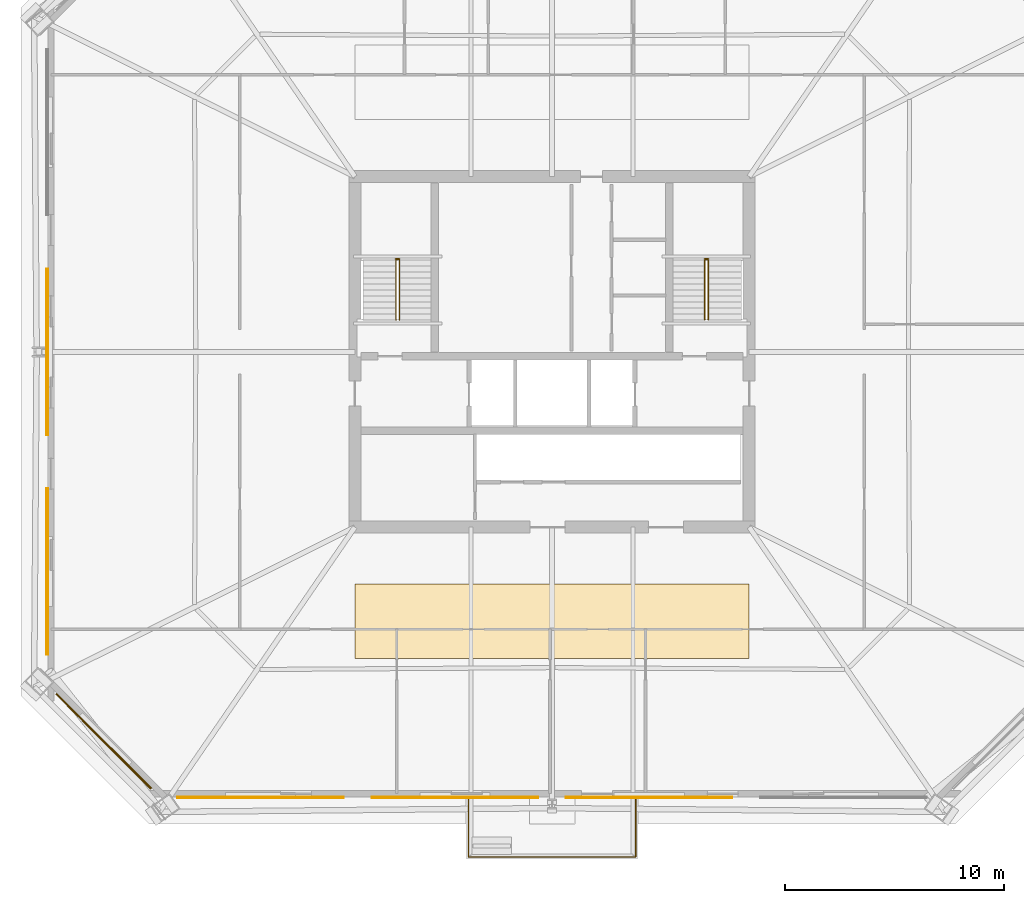
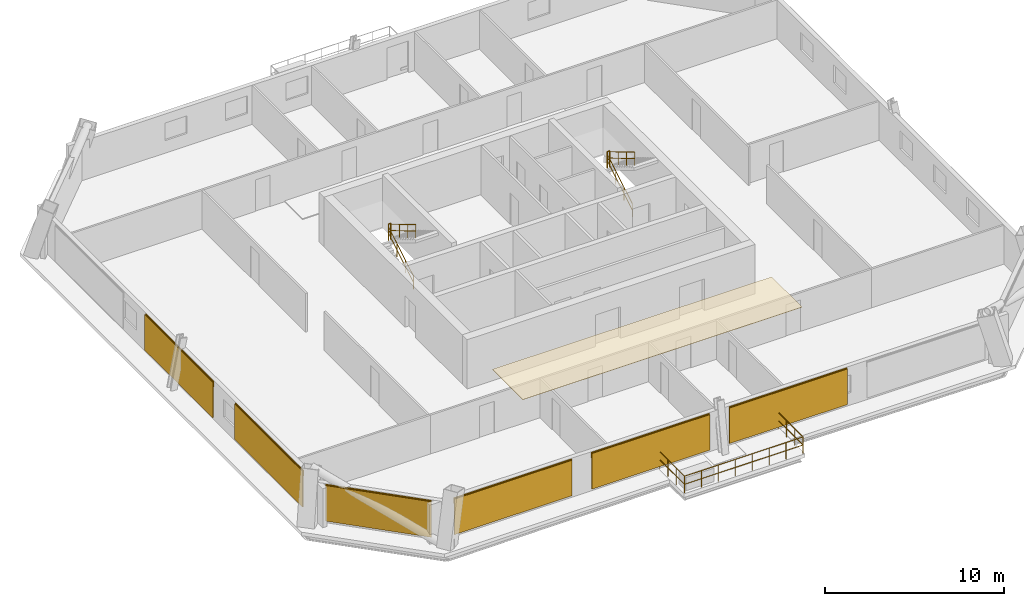
# One storey, part 6 of 7: 7 coverings, 7 railings, 6 shading devices.
"""IFC4 building model written with IfcOpenShell, lengths in metres."""

from ifc_helpers import new_model, si_unit, direction, frame, origin, origin_2d, place, context, subcontext, project, spatial, polyline, rectangle, circle, outline, extrude, material, layer, layer_set, type_object, element, save


model = new_model("IFC4")

# Units and contexts
model_context = context("Model", 3, precision=1e-05, world=origin(), true_north=direction((0.0, 1.0)))
body_context = subcontext(model_context, "Body", "Model", "MODEL_VIEW")
ifc_project = project(units=[si_unit("LENGTHUNIT", "METRE"), si_unit("AREAUNIT", "SQUARE_METRE"), si_unit("VOLUMEUNIT", "CUBIC_METRE"), si_unit("PLANEANGLEUNIT", "RADIAN"), si_unit("MASSUNIT", "GRAM", prefix="KILO")], contexts=[model_context])

# Site, building, storey
site_placement = place(None, origin())
site = spatial("IfcSite", under=ifc_project, at=site_placement, CompositionType="ELEMENT")
building_placement = place(site_placement, origin())
building = spatial("IfcBuilding", under=site, at=building_placement, Name="Caelvoria Tower", CompositionType="ELEMENT")
storey_placement = place(building_placement, frame((0.0, 0.0, 113.199951171875)))
storey = spatial("IfcBuildingStorey", under=building, at=storey_placement, Name="L29", CompositionType="ELEMENT", Elevation=113.199951171875)

# Railing
ifc_material_1 = material(Name="Bronze Anodised Aluminium and Stainless Steel", Category="steel")
railing_type_1 = type_object("IfcRailingType", Name="Exterior Terrace and Balcony Guardrail 1150", PredefinedType="GUARDRAIL", material=ifc_material_1)
railing_1_placement = place(storey_placement, frame((42.179931640625, 11.68994140625, 0.0)))
element("IfcRailing", 1, at=railing_1_placement, inside=storey, type_object=railing_type_1, Name="Tree Balcony Guardrail TB-L29-S", PredefinedType="GUARDRAIL", context=body_context, shape_type="SweptSolid", body=[
    extrude(circle(Radius=0.02392578125, at=origin_2d()), frame((0.0, 0.0, 1.1259765625), z_axis=(0.0, -1.0, 0.0), x_axis=(1.0, 0.0, 0.0)), (0.0, 0.0, 1.0), 2.760009765625),
    extrude(circle(Radius=0.02392578125, at=origin_2d()), frame((0.0, 0.0, 0.574951171875), z_axis=(0.0, -1.0, 0.0), x_axis=(1.0, 0.0, 0.0)), (0.0, 0.0, 1.0), 2.760009765625),
    extrude(circle(Radius=0.02392578125, at=origin_2d()), frame((0.0, -2.760009765625, 1.1259765625), z_axis=(1.0, 0.0, 0.0), x_axis=(0.0, 1.0, 0.0)), (0.0, 0.0, 1.0), 7.64013671875),
    extrude(circle(Radius=0.02392578125, at=origin_2d()), frame((0.0, -2.760009765625, 0.574951171875), z_axis=(1.0, 0.0, 0.0), x_axis=(0.0, 1.0, 0.0)), (0.0, 0.0, 1.0), 7.64013671875),
    extrude(circle(Radius=0.02392578125, at=origin_2d()), frame((7.64013671875, -2.760009765625, 1.1259765625), z_axis=(0.0, 1.0, 0.0), x_axis=(-1.0, 0.0, 0.0)), (0.0, 0.0, 1.0), 2.760009765625),
    extrude(circle(Radius=0.02392578125, at=origin_2d()), frame((7.64013671875, -2.760009765625, 0.574951171875), z_axis=(0.0, 1.0, 0.0), x_axis=(-1.0, 0.0, 0.0)), (0.0, 0.0, 1.0), 2.760009765625),
    extrude(circle(Radius=0.02099609375, at=origin_2d()), origin(), (0.0, 0.0, 1.0), 1.101806640625),
    extrude(circle(Radius=0.02099609375, at=origin_2d()), frame((0.0, -0.919921875, 0.0)), (0.0, 0.0, 1.0), 1.101806640625),
    extrude(circle(Radius=0.02099609375, at=origin_2d()), frame((0.0, -1.840087890625, 0.0)), (0.0, 0.0, 1.0), 1.101806640625),
    extrude(circle(Radius=0.02099609375, at=origin_2d()), frame((0.0, -2.760009765625, 0.0)), (0.0, 0.0, 1.0), 1.101806640625),
    extrude(circle(Radius=0.02099609375, at=origin_2d()), frame((1.091552734375, -2.760009765625, 0.0)), (0.0, 0.0, 1.0), 1.101806640625),
    extrude(circle(Radius=0.02099609375, at=origin_2d()), frame((2.182861328125, -2.760009765625, 0.0)), (0.0, 0.0, 1.0), 1.101806640625),
    extrude(circle(Radius=0.02099609375, at=origin_2d()), frame((3.2744140625, -2.760009765625, 0.0)), (0.0, 0.0, 1.0), 1.101806640625),
    extrude(circle(Radius=0.02099609375, at=origin_2d()), frame((4.36572265625, -2.760009765625, 0.0)), (0.0, 0.0, 1.0), 1.101806640625),
    extrude(circle(Radius=0.02099609375, at=origin_2d()), frame((5.457275390625, -2.760009765625, 0.0)), (0.0, 0.0, 1.0), 1.101806640625),
    extrude(circle(Radius=0.02099609375, at=origin_2d()), frame((6.548583984375, -2.760009765625, 0.0)), (0.0, 0.0, 1.0), 1.101806640625),
    extrude(circle(Radius=0.02099609375, at=origin_2d()), frame((7.64013671875, -2.760009765625, 0.0)), (0.0, 0.0, 1.0), 1.101806640625),
    extrude(circle(Radius=0.02099609375, at=origin_2d()), frame((7.64013671875, -1.840087890625, 0.0)), (0.0, 0.0, 1.0), 1.101806640625),
    extrude(circle(Radius=0.02099609375, at=origin_2d()), frame((7.64013671875, -0.919921875, 0.0)), (0.0, 0.0, 1.0), 1.101806640625),
    extrude(circle(Radius=0.02099609375, at=origin_2d()), frame((7.64013671875, 0.0, 0.0)), (0.0, 0.0, 1.0), 1.101806640625),
])

# Coverings
ifc_material_2 = material(Name="Acoustic Mineral Fibre Tile", Category="gypsum")
ifc_layer_1 = layer(ifc_material_2, 0.02490234375, Name="Acoustic Mineral Fibre Tile")
ifc_layer_set_1 = layer_set([ifc_layer_1], Name="Mineral-Fibre Acoustic Suspended Ceiling 25 - Acoustic Mineral Fibre Tile")
covering_type_1 = type_object("IfcCoveringType", Name="Mineral-Fibre Acoustic Suspended Ceiling 25", PredefinedType="CEILING", material=ifc_layer_set_1)
covering_1_placement = place(storey_placement, frame((0.0, 0.0, 2.635009765625)))
element("IfcCovering", 2, at=covering_1_placement, inside=storey, type_object=covering_type_1, Name="Suspended Acoustic Ceiling L29", PredefinedType="CEILING", context=body_context, shape_type="SweptSolid", body=[
    extrude(outline(polyline([(37.0, 18.0), (55.0, 18.0), (55.0, 21.39990234375), (37.0, 21.39990234375), (37.0, 18.0)])), origin(), (0.0, 0.0, 1.0), 0.025146484375),
])
ifc_material_3 = material(Name="Perforated Architectural Bronze Cladding Screen", Category="bronze")
ifc_layer_2 = layer(ifc_material_3, 0.0400390625, Name="Perforated Architectural Bronze Cladding Screen")
ifc_layer_set_2 = layer_set([ifc_layer_2], Name="Perforated Bronze Louvre Cladding Band 40 - Perforated Architectural Bronze Cladding Screen")
covering_type_2 = type_object("IfcCoveringType", Name="Perforated Bronze Louvre Cladding Band 40", PredefinedType="CLADDING", material=ifc_layer_set_2)
for number, where, z_axis, x_axis, name in (
    (3, (32.695068359375, 11.677978515625, 2.2421875), (0.0, 0.0, 1.0), (1.0, 0.0, 0.0), "Perforated Bronze Screen Band L29-E0-00"),
    (4, (41.56494140625, 11.677978515625, 2.2421875), (0.0, 0.0, 1.0), (1.0, 0.0, 0.0), "Perforated Bronze Screen Band L29-E0-01"),
    (5, (50.43505859375, 11.677978515625, 2.2421875), (0.0, 0.0, 1.0), (1.0, 0.0, 0.0), "Perforated Bronze Screen Band L29-E0-02"),
    (6, (22.97802734375, 32.0, 2.2421875), (0.0, 0.0, 1.0), (0.0, -1.0, 0.0), "Perforated Bronze Screen Band L29-E6-01"),
    (7, (22.97802734375, 21.973388671875, 2.2421875), (0.0, 0.0, 1.0), (0.0, -1.0, 0.0), "Perforated Bronze Screen Band L29-E6-02"),
):
    element("IfcCovering", number, at=place(storey_placement, frame(where, z_axis=z_axis, x_axis=x_axis)), inside=storey, type_object=covering_type_2, Name=name, PredefinedType="CLADDING", context=body_context, shape_type="SweptSolid", body=[
        extrude(rectangle(XDim=7.60009765625, YDim=0.0400390625, at=origin_2d()), origin(), (0.0, 0.0, 1.0), 0.39990234375),
    ])
covering_2_placement = place(storey_placement, frame((25.543212890625, 14.243408203125, 2.2421875), z_axis=(0.0, 0.0, 1.0), x_axis=(0.707106781187, -0.707106781187, 0.0)))
element("IfcCovering", 8, at=covering_2_placement, inside=storey, type_object=covering_type_2, Name="Perforated Bronze Screen Band L29-E7-00", PredefinedType="CLADDING", context=body_context, shape_type="SweptSolid", body=[
    extrude(rectangle(XDim=6.118896484375, YDim=0.0400390625, at=origin_2d()), origin(), (0.0, 0.0, 1.0), 0.39990234375),
])

# Shading devices
ifc_material_4 = material(Name="Perforated Architectural Bronze Alloy Panel", Category="bronze")
ifc_layer_3 = layer(ifc_material_4, 0.044921875, Name="Perforated Architectural Bronze Alloy Panel")
ifc_layer_set_3 = layer_set([ifc_layer_3], Name="Perforated Bronze Solar Screen Panel SCREEN - Perforated Architectural Bronze Alloy Panel")
shading_device_type = type_object("IfcShadingDeviceType", Name="Perforated Bronze Solar Screen Panel SCREEN", PredefinedType="USERDEFINED", material=ifc_layer_set_3)
for number, where, z_axis, x_axis, name in (
    (9, (32.695068359375, 11.635009765625, 0.16015625), (0.0, 0.0, 1.0), (1.0, 0.0, 0.0), "Perforated Bronze Solar Screen L29-E0-00"),
    (10, (41.56494140625, 11.635009765625, 0.16015625), (0.0, 0.0, 1.0), (1.0, 0.0, 0.0), "Perforated Bronze Solar Screen L29-E0-01"),
    (11, (50.43505859375, 11.635009765625, 0.16015625), (0.0, 0.0, 1.0), (1.0, 0.0, 0.0), "Perforated Bronze Solar Screen L29-E0-02"),
    (12, (22.93505859375, 32.0, 0.16015625), (0.0, 0.0, 1.0), (0.0, -1.0, 0.0), "Perforated Bronze Solar Screen L29-E6-01"),
    (13, (22.93505859375, 21.973388671875, 0.16015625), (0.0, 0.0, 1.0), (0.0, -1.0, 0.0), "Perforated Bronze Solar Screen L29-E6-02"),
):
    element("IfcShadingDevice", number, at=place(storey_placement, frame(where, z_axis=z_axis, x_axis=x_axis)), inside=storey, type_object=shading_device_type, Name=name, ObjectType="SCREEN", PredefinedType="USERDEFINED", context=body_context, shape_type="SweptSolid", body=[
        extrude(rectangle(XDim=7.60009765625, YDim=0.044921875, at=origin_2d()), origin(), (0.0, 0.0, 1.0), 2.422119140625),
    ])
shading_device_placement = place(storey_placement, frame((25.512939453125, 14.212890625, 0.16015625), z_axis=(0.0, 0.0, 1.0), x_axis=(0.707106781187, -0.707106781187, 0.0)))
element("IfcShadingDevice", 14, at=shading_device_placement, inside=storey, type_object=shading_device_type, Name="Perforated Bronze Solar Screen L29-E7-00", ObjectType="SCREEN", PredefinedType="USERDEFINED", context=body_context, shape_type="SweptSolid", body=[
    extrude(rectangle(XDim=6.118896484375, YDim=0.044921875, at=origin_2d()), origin(), (0.0, 0.0, 1.0), 2.422119140625),
])

# Railings
ifc_material_5 = material(Name="Brushed Stainless Steel Tube", Category="steel")
railing_type_2 = type_object("IfcRailingType", Name="Stair Tubular Stainless Handrail 920", PredefinedType="HANDRAIL", material=ifc_material_5)
railing_2_placement = place(storey_placement, frame((38.8701171875, 33.449951171875, 0.16357421875)))
element("IfcRailing", 15, at=railing_2_placement, inside=storey, type_object=railing_type_2, Name="ST-01 Flight 1 Handrail L29", PredefinedType="HANDRAIL", context=body_context, shape_type="SweptSolid", body=[
    extrude(circle(Radius=0.02392578125, at=origin_2d()), frame((0.0, 0.0, 0.89599609375), z_axis=(0.0, 0.859351957796, 0.511384603436), x_axis=(-1.0, 0.0, 0.0)), (0.0, 0.0, 1.0), 3.2001953125),
    extrude(circle(Radius=0.02392578125, at=origin_2d()), frame((0.0, 0.0, 0.4599609375), z_axis=(0.0, 0.859351957796, 0.511384603436), x_axis=(-1.0, 0.0, 0.0)), (0.0, 0.0, 1.0), 3.2001953125),
    extrude(circle(Radius=0.02099609375, at=origin_2d()), origin(), (0.0, 0.0, 1.0), 0.871826171875),
    extrude(circle(Radius=0.02099609375, at=origin_2d()), frame((0.0, 0.916748046875, 0.54541015625)), (0.0, 0.0, 1.0), 0.871826171875),
    extrude(circle(Radius=0.02099609375, at=origin_2d()), frame((0.0, 1.833251953125, 1.091064453125)), (0.0, 0.0, 1.0), 0.871826171875),
    extrude(circle(Radius=0.02099609375, at=origin_2d()), frame((0.0, 2.75, 1.636474609375)), (0.0, 0.0, 1.0), 0.871826171875),
])
railing_3_placement = place(storey_placement, frame((39.030029296875, 36.199951171875, 1.963623046875)))
element("IfcRailing", 16, at=railing_3_placement, inside=storey, type_object=railing_type_2, Name="ST-01 Flight 2 Handrail L29", PredefinedType="HANDRAIL", context=body_context, shape_type="SweptSolid", body=[
    extrude(circle(Radius=0.02392578125, at=origin_2d()), frame((0.0, 0.0, 0.89599609375), z_axis=(0.0, -0.859351957796, 0.511384603436), x_axis=(1.0, 0.0, 0.0)), (0.0, 0.0, 1.0), 3.2001953125),
    extrude(circle(Radius=0.02392578125, at=origin_2d()), frame((0.0, 0.0, 0.4599609375), z_axis=(0.0, -0.859351957796, 0.511384603436), x_axis=(1.0, 0.0, 0.0)), (0.0, 0.0, 1.0), 3.2001953125),
    extrude(circle(Radius=0.02099609375, at=origin_2d()), origin(), (0.0, 0.0, 1.0), 0.871826171875),
    extrude(circle(Radius=0.02099609375, at=origin_2d()), frame((0.0, -0.916748046875, 0.54541015625)), (0.0, 0.0, 1.0), 0.871826171875),
    extrude(circle(Radius=0.02099609375, at=origin_2d()), frame((0.0, -1.833251953125, 1.091064453125)), (0.0, 0.0, 1.0), 0.871826171875),
    extrude(circle(Radius=0.02099609375, at=origin_2d()), frame((0.0, -2.75, 1.636474609375)), (0.0, 0.0, 1.0), 0.871826171875),
])
railing_4_placement = place(storey_placement, frame((52.969970703125, 33.449951171875, 0.16357421875)))
element("IfcRailing", 17, at=railing_4_placement, inside=storey, type_object=railing_type_2, Name="ST-02 Flight 1 Handrail L29", PredefinedType="HANDRAIL", context=body_context, shape_type="SweptSolid", body=[
    extrude(circle(Radius=0.02392578125, at=origin_2d()), frame((0.0, 0.0, 0.89599609375), z_axis=(0.0, 0.859351957796, 0.511384603436), x_axis=(-1.0, 0.0, 0.0)), (0.0, 0.0, 1.0), 3.2001953125),
    extrude(circle(Radius=0.02392578125, at=origin_2d()), frame((0.0, 0.0, 0.4599609375), z_axis=(0.0, 0.859351957796, 0.511384603436), x_axis=(-1.0, 0.0, 0.0)), (0.0, 0.0, 1.0), 3.2001953125),
    extrude(circle(Radius=0.02099609375, at=origin_2d()), origin(), (0.0, 0.0, 1.0), 0.871826171875),
    extrude(circle(Radius=0.02099609375, at=origin_2d()), frame((0.0, 0.916748046875, 0.54541015625)), (0.0, 0.0, 1.0), 0.871826171875),
    extrude(circle(Radius=0.02099609375, at=origin_2d()), frame((0.0, 1.833251953125, 1.091064453125)), (0.0, 0.0, 1.0), 0.871826171875),
    extrude(circle(Radius=0.02099609375, at=origin_2d()), frame((0.0, 2.75, 1.636474609375)), (0.0, 0.0, 1.0), 0.871826171875),
])
railing_5_placement = place(storey_placement, frame((53.1298828125, 36.199951171875, 1.963623046875)))
element("IfcRailing", 18, at=railing_5_placement, inside=storey, type_object=railing_type_2, Name="ST-02 Flight 2 Handrail L29", PredefinedType="HANDRAIL", context=body_context, shape_type="SweptSolid", body=[
    extrude(circle(Radius=0.02392578125, at=origin_2d()), frame((0.0, 0.0, 0.89599609375), z_axis=(0.0, -0.859351957796, 0.511384603436), x_axis=(1.0, 0.0, 0.0)), (0.0, 0.0, 1.0), 3.2001953125),
    extrude(circle(Radius=0.02392578125, at=origin_2d()), frame((0.0, 0.0, 0.4599609375), z_axis=(0.0, -0.859351957796, 0.511384603436), x_axis=(1.0, 0.0, 0.0)), (0.0, 0.0, 1.0), 3.2001953125),
    extrude(circle(Radius=0.02099609375, at=origin_2d()), origin(), (0.0, 0.0, 1.0), 0.871826171875),
    extrude(circle(Radius=0.02099609375, at=origin_2d()), frame((0.0, -0.916748046875, 0.54541015625)), (0.0, 0.0, 1.0), 0.871826171875),
    extrude(circle(Radius=0.02099609375, at=origin_2d()), frame((0.0, -1.833251953125, 1.091064453125)), (0.0, 0.0, 1.0), 0.871826171875),
    extrude(circle(Radius=0.02099609375, at=origin_2d()), frame((0.0, -2.75, 1.636474609375)), (0.0, 0.0, 1.0), 0.871826171875),
])
ifc_material_6 = material(Name="Brushed Stainless Steel Guardrail", Category="steel")
railing_type_3 = type_object("IfcRailingType", Name="Stair Well and Ramp Guardrail 1120", PredefinedType="GUARDRAIL", material=ifc_material_6)
for number, where, name in (
    (19, (38.8701171875, 36.239990234375, 1.800048828125), "ST-01 Half-Landing Well Guard L29"),
    (20, (52.969970703125, 36.239990234375, 1.800048828125), "ST-02 Half-Landing Well Guard L29"),
):
    element("IfcRailing", number, at=place(storey_placement, frame(where)), inside=storey, type_object=railing_type_3, Name=name, PredefinedType="GUARDRAIL", context=body_context, shape_type="SweptSolid", body=[
        extrude(circle(Radius=0.02392578125, at=origin_2d()), frame((0.0, 0.0, 1.09619140625), z_axis=(1.0, 0.0, 0.0), x_axis=(0.0, 1.0, 0.0)), (0.0, 0.0, 1.0), 0.159912109375),
        extrude(circle(Radius=0.02392578125, at=origin_2d()), frame((0.0, 0.0, 0.56005859375), z_axis=(1.0, 0.0, 0.0), x_axis=(0.0, 1.0, 0.0)), (0.0, 0.0, 1.0), 0.159912109375),
        extrude(circle(Radius=0.02099609375, at=origin_2d()), origin(), (0.0, 0.0, 1.0), 1.072021484375),
        extrude(circle(Radius=0.02099609375, at=origin_2d()), frame((0.159912109375, 0.0, 0.0)), (0.0, 0.0, 1.0), 1.072021484375),
    ])

save(model, "model.ifc")
